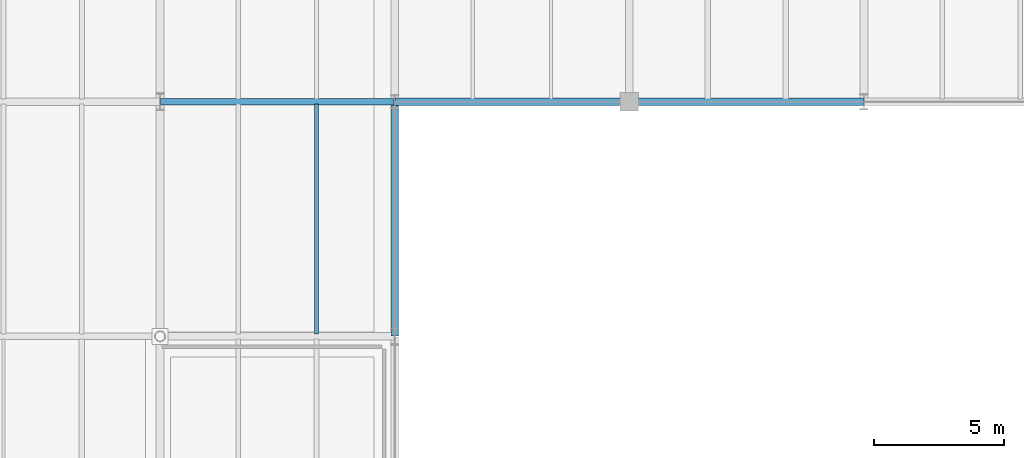
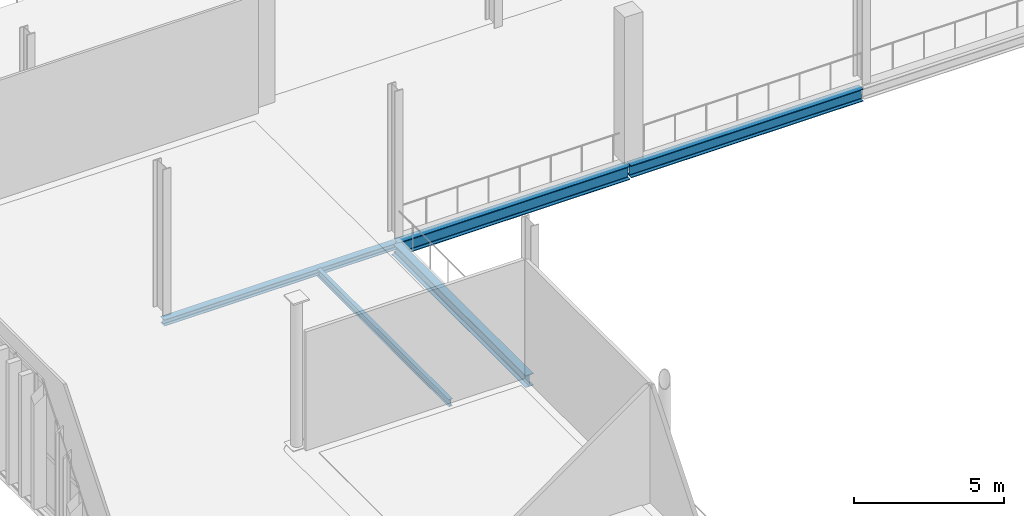
# One storey, part 48 of 211: 5 beams.
"""IFC4 building model written with IfcOpenShell, lengths in metres."""

from ifc_helpers import new_model, si_unit, direction, frame, origin, origin_2d, place, context, subcontext, project, spatial, i_section, extrude, material, material_profile, profile_set, type_object, element, save


model = new_model("IFC4")

# Units and contexts
model_context = context("Model", 3, precision=1e-05, world=origin(), true_north=direction((0.0, 1.0)))
body_context = subcontext(model_context, "Body", "Model", "MODEL_VIEW")
ifc_project = project(units=[si_unit("LENGTHUNIT", "METRE"), si_unit("AREAUNIT", "SQUARE_METRE"), si_unit("VOLUMEUNIT", "CUBIC_METRE"), si_unit("PLANEANGLEUNIT", "RADIAN"), si_unit("MASSUNIT", "GRAM", prefix="KILO")], contexts=[model_context])

# Site, building, storey
site_placement = place(None, origin())
site = spatial("IfcSite", under=ifc_project, at=site_placement, CompositionType="ELEMENT")
building_placement = place(site_placement, origin())
building = spatial("IfcBuilding", under=site, at=building_placement, Name="Barlavento Convention Centre", CompositionType="ELEMENT")
storey_placement = place(building_placement, frame((0.0, 0.0, 6.0)))
storey = spatial("IfcBuildingStorey", under=building, at=storey_placement, Name="L01", CompositionType="ELEMENT", Elevation=6.0)

# Beams
ifc_material = material(Name="Steel S355", Category="steel")
ifc_material_profile_1 = material_profile(ifc_material, i_section(OverallWidth=0.14990234375, OverallDepth=0.300048828125, WebThickness=0.007080078125, FlangeThickness=0.0107421875, FilletRadius=0.014892578125, at=origin_2d()), Name="IPE 300")
ifc_profile_set_1 = profile_set([ifc_material_profile_1], Name="Steel S355")
beam_type_1 = type_object("IfcBeamType", Name="STR-BM-JST-IPE300", PredefinedType="JOIST", material=ifc_profile_set_1)
beam_1_placement = place(storey_placement, frame((15.0, 36.094970703125, -0.449951171875), z_axis=(0.0, 1.0, 0.0), x_axis=(-1.0, 0.0, 0.0)))
element("IfcBeam", 1, at=beam_1_placement, inside=storey, type_object=beam_type_1, Name="L01 composite floor joist SJ07", PredefinedType="JOIST", context=body_context, shape_type="SweptSolid", body=[
    extrude(i_section(OverallWidth=0.14990234375, OverallDepth=0.300048828125, WebThickness=0.007080078125, FlangeThickness=0.0107421875, FilletRadius=0.014892578125, at=origin_2d()), origin(), (0.0, 0.0, 1.0), 8.81005859375),
])
ifc_material_profile_2 = material_profile(ifc_material, i_section(OverallWidth=0.300048828125, OverallDepth=0.489990234375, WebThickness=0.011962890625, FlangeThickness=0.02294921875, FilletRadius=0.027099609375, at=origin_2d()), Name="HEA 500")
ifc_profile_set_2 = profile_set([ifc_material_profile_2], Name="Steel S355")
beam_type_2 = type_object("IfcBeamType", Name="STR-BM-PRI-HEA500", PredefinedType="BEAM", material=ifc_profile_set_2)
beam_2_placement = place(storey_placement, frame((18.0, 36.02001953125, -0.544921875), z_axis=(0.0, 1.0, 0.0), x_axis=(-1.0, 0.0, 0.0)))
element("IfcBeam", 2, at=beam_2_placement, inside=storey, type_object=beam_type_2, Name="L01 grid girder BG20", PredefinedType="BEAM", context=body_context, shape_type="SweptSolid", body=[
    extrude(i_section(OverallWidth=0.300048828125, OverallDepth=0.489990234375, WebThickness=0.011962890625, FlangeThickness=0.02294921875, FilletRadius=0.027099609375, at=origin_2d()), origin(), (0.0, 0.0, 1.0), 8.9599609375),
])
ifc_material_profile_3 = material_profile(ifc_material, i_section(OverallWidth=0.260009765625, OverallDepth=0.260009765625, WebThickness=0.010009765625, FlangeThickness=0.017578125, FilletRadius=0.02392578125, at=origin_2d()), Name="HEB 260")
ifc_profile_set_3 = profile_set([ifc_material_profile_3], Name="Steel S355")
beam_type_3 = type_object("IfcBeamType", Name="STR-BM-PRI-HEB260", PredefinedType="BEAM", material=ifc_profile_set_3)
beam_3_placement = place(storey_placement, frame((9.02001953125, 45.0, -0.429931640625), z_axis=(1.0, 0.0, 0.0), x_axis=(0.0, 1.0, 0.0)))
element("IfcBeam", 3, at=beam_3_placement, inside=storey, type_object=beam_type_3, Name="L01 primary girder BG16", PredefinedType="BEAM", context=body_context, shape_type="SweptSolid", body=[
    extrude(i_section(OverallWidth=0.260009765625, OverallDepth=0.260009765625, WebThickness=0.010009765625, FlangeThickness=0.017578125, FilletRadius=0.02392578125, at=origin_2d()), origin(), (0.0, 0.0, 1.0), 8.9599609375),
])
ifc_material_profile_4 = material_profile(ifc_material, i_section(OverallWidth=0.300048828125, OverallDepth=0.5, WebThickness=0.014404296875, FlangeThickness=0.028076171875, FilletRadius=0.027099609375, at=origin_2d()), Name="HEB 500")
ifc_profile_set_4 = profile_set([ifc_material_profile_4], Name="Steel S355")
beam_type_4 = type_object("IfcBeamType", Name="STR-BM-PRI-HEB500", PredefinedType="BEAM", material=ifc_profile_set_4)
beam_4_placement = place(storey_placement, frame((27.02001953125, 45.0, -0.550048828125), z_axis=(1.0, 0.0, 0.0), x_axis=(0.0, 1.0, 0.0)))
element("IfcBeam", 4, at=beam_4_placement, inside=storey, type_object=beam_type_4, Name="L01 primary girder BG09", PredefinedType="BEAM", context=body_context, shape_type="SweptSolid", body=[
    extrude(i_section(OverallWidth=0.300048828125, OverallDepth=0.5, WebThickness=0.014404296875, FlangeThickness=0.028076171875, FilletRadius=0.027099609375, at=origin_2d()), origin(), (0.0, 0.0, 1.0), 8.9599609375),
])
ifc_material_profile_5 = material_profile(ifc_material, i_section(OverallWidth=0.300048828125, OverallDepth=0.550048828125, WebThickness=0.014892578125, FlangeThickness=0.029052734375, FilletRadius=0.027099609375, at=origin_2d()), Name="HEB 550")
ifc_profile_set_5 = profile_set([ifc_material_profile_5], Name="Steel S355")
beam_type_5 = type_object("IfcBeamType", Name="STR-BM-PRI-HEB550", PredefinedType="BEAM", material=ifc_profile_set_5)
beam_5_placement = place(storey_placement, frame((18.02001953125, 45.0, -0.574951171875), z_axis=(1.0, 0.0, 0.0), x_axis=(0.0, 1.0, 0.0)))
element("IfcBeam", 5, at=beam_5_placement, inside=storey, type_object=beam_type_5, Name="L01 primary girder BG08", PredefinedType="BEAM", context=body_context, shape_type="SweptSolid", body=[
    extrude(i_section(OverallWidth=0.300048828125, OverallDepth=0.550048828125, WebThickness=0.014892578125, FlangeThickness=0.029052734375, FilletRadius=0.027099609375, at=origin_2d()), origin(), (0.0, 0.0, 1.0), 8.9599609375),
])

save(model, "model.ifc")
